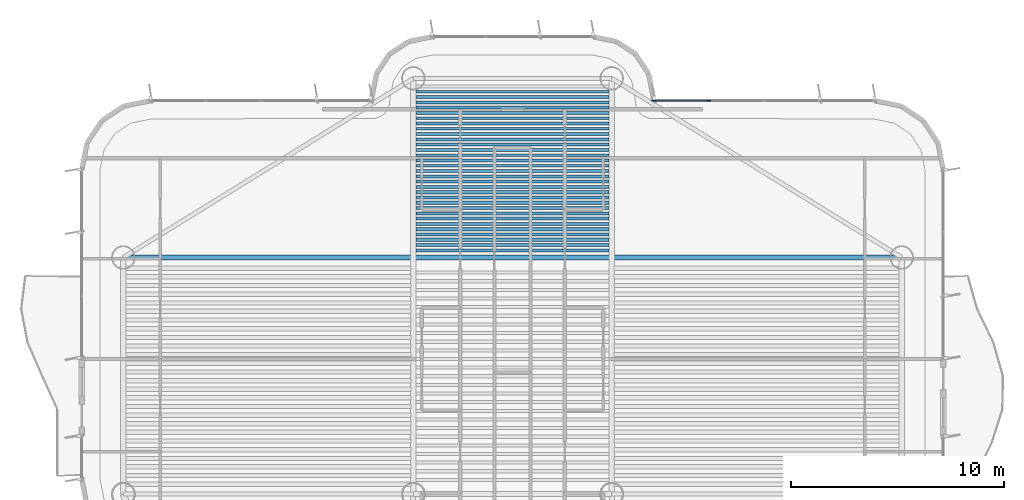
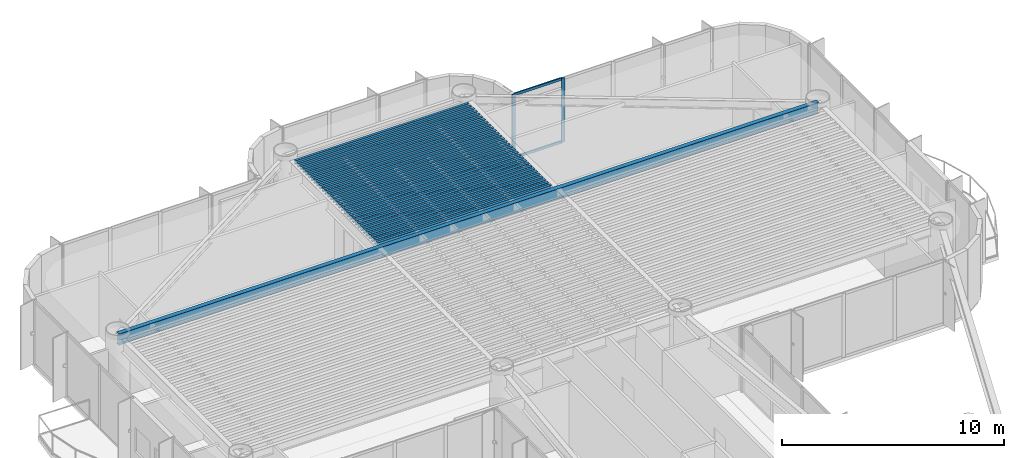
# One storey, part 6 of 15: 32 beams, 4 members, 1 element without a shape of its own.
"""IFC4 building model written with IfcOpenShell, lengths in metres."""

from ifc_helpers import new_model, si_unit, direction, frame, origin, origin_2d, place, context, subcontext, project, spatial, rectangle, i_section, extrude, source, transform, mapped, material, layer, layer_set, material_profile, profile_set, type_object, element, aggregate, save


model = new_model("IFC4")

# Units and contexts
model_context = context("Model", 3, precision=1e-05, world=origin(), true_north=direction((0.0, 1.0)))
body_context = subcontext(model_context, "Body", "Model", "MODEL_VIEW")
ifc_project = project(units=[si_unit("LENGTHUNIT", "METRE"), si_unit("AREAUNIT", "SQUARE_METRE"), si_unit("VOLUMEUNIT", "CUBIC_METRE"), si_unit("PLANEANGLEUNIT", "RADIAN"), si_unit("MASSUNIT", "GRAM", prefix="KILO")], contexts=[model_context])

# Site, building, storey
site_placement = place(None, origin())
site = spatial("IfcSite", under=ifc_project, at=site_placement, CompositionType="ELEMENT")
building_placement = place(site_placement, origin())
building = spatial("IfcBuilding", under=site, at=building_placement, Name="Brelvock Crest Care Tower", CompositionType="ELEMENT")
storey_placement = place(building_placement, frame((0.0, 0.0, 160.199951171875)))
storey = spatial("IfcBuildingStorey", under=building, at=storey_placement, Name="L40", CompositionType="ELEMENT", Elevation=160.199951171875)

# Beams
ifc_material_1 = material(Name="Steel Grade 350", Category="steel")
ifc_material_profile_1 = material_profile(ifc_material_1, i_section(OverallWidth=0.14599609375, OverallDepth=0.256103515625, WebThickness=0.00634765625, FlangeThickness=0.010986328125, FilletRadius=0.0087890625, at=origin_2d()), Name="250UB37.3")
ifc_profile_set_1 = profile_set([ifc_material_profile_1], Name="Steel Grade 350")
beam_type_1 = type_object("IfcBeamType", Name="BM-J3", PredefinedType="JOIST", material=ifc_profile_set_1)
shared_shape_1 = source(origin(), body_context, "Body", "SweptSolid", [
    extrude(i_section(OverallWidth=0.14599609375, OverallDepth=0.256103515625, WebThickness=0.00634765625, FlangeThickness=0.010986328125, FilletRadius=0.0087890625, at=origin_2d()), origin(), (0.0, 0.0, 1.0), 9.06982421875),
])
for number, where, z_axis, x_axis, name in (
    (1, (31.465087890625, 46.385986328125, 3.402099609375), (1.0, 0.0, 0.0), (0.0, 1.0, 0.0), "BM-JN-L40-1"),
    (2, (31.465087890625, 46.6337890625, 3.402099609375), (1.0, 0.0, 0.0), (0.0, 1.0, 0.0), "BM-JN-L40-2"),
    (3, (31.465087890625, 46.881591796875, 3.402099609375), (1.0, 0.0, 0.0), (0.0, 1.0, 0.0), "BM-JN-L40-3"),
    (4, (31.465087890625, 47.12939453125, 3.402099609375), (1.0, 0.0, 0.0), (0.0, 1.0, 0.0), "BM-JN-L40-4"),
    (5, (31.465087890625, 47.377197265625, 3.402099609375), (1.0, 0.0, 0.0), (0.0, 1.0, 0.0), "BM-JN-L40-5"),
    (6, (31.465087890625, 47.625, 3.402099609375), (1.0, 0.0, 0.0), (0.0, 1.0, 0.0), "BM-JN-L40-6"),
    (7, (31.465087890625, 47.872802734375, 3.402099609375), (1.0, 0.0, 0.0), (0.0, 1.0, 0.0), "BM-JN-L40-7"),
    (8, (31.465087890625, 48.12060546875, 3.402099609375), (1.0, 0.0, 0.0), (0.0, 1.0, 0.0), "BM-JN-L40-8"),
    (9, (31.465087890625, 48.368408203125, 3.402099609375), (1.0, 0.0, 0.0), (0.0, 1.0, 0.0), "BM-JN-L40-9"),
    (10, (31.465087890625, 48.6162109375, 3.402099609375), (1.0, 0.0, 0.0), (0.0, 1.0, 0.0), "BM-JN-L40-10"),
    (11, (31.465087890625, 48.864013671875, 3.402099609375), (1.0, 0.0, 0.0), (0.0, 1.0, 0.0), "BM-JN-L40-11"),
    (12, (31.465087890625, 49.11181640625, 3.402099609375), (1.0, 0.0, 0.0), (0.0, 1.0, 0.0), "BM-JN-L40-12"),
    (13, (31.465087890625, 49.359619140625, 3.402099609375), (1.0, 0.0, 0.0), (0.0, 1.0, 0.0), "BM-JN-L40-13"),
):
    element("IfcBeam", number, at=place(storey_placement, frame(where, z_axis=z_axis, x_axis=x_axis)), inside=storey, type_object=beam_type_1, Name=name, PredefinedType="JOIST", context=body_context, shape_type="MappedRepresentation", body=[
        mapped(shared_shape_1, transform((0.0, 0.0, 0.0), x_axis=(1.0, 0.0, 0.0), y_axis=(0.0, 1.0, 0.0), z_axis=(0.0, 0.0, 1.0), scale=1.0)),
    ])
ifc_material_profile_2 = material_profile(ifc_material_1, i_section(OverallWidth=0.134033203125, OverallDepth=0.20703125, WebThickness=0.00634765625, FlangeThickness=0.009521484375, FilletRadius=0.0087890625, at=origin_2d()), Name="200UB29.8")
ifc_profile_set_2 = profile_set([ifc_material_profile_2], Name="Steel Grade 350")
beam_type_2 = type_object("IfcBeamType", Name="BM-J4", PredefinedType="JOIST", material=ifc_profile_set_2)
shared_shape_2 = source(origin(), body_context, "Body", "SweptSolid", [
    extrude(i_section(OverallWidth=0.134033203125, OverallDepth=0.20703125, WebThickness=0.00634765625, FlangeThickness=0.009521484375, FilletRadius=0.0087890625, at=origin_2d()), origin(), (0.0, 0.0, 1.0), 9.06982421875),
])
for number, where, z_axis, x_axis, name in (
    (14, (31.465087890625, 49.607421875, 3.426513671875), (1.0, 0.0, 0.0), (0.0, 1.0, 0.0), "BM-JN-L40-14"),
    (15, (31.465087890625, 49.855224609375, 3.426513671875), (1.0, 0.0, 0.0), (0.0, 1.0, 0.0), "BM-JN-L40-15"),
    (16, (31.465087890625, 50.10302734375, 3.426513671875), (1.0, 0.0, 0.0), (0.0, 1.0, 0.0), "BM-JN-L40-16"),
    (17, (31.465087890625, 50.350830078125, 3.426513671875), (1.0, 0.0, 0.0), (0.0, 1.0, 0.0), "BM-JN-L40-17"),
    (18, (31.465087890625, 50.5986328125, 3.426513671875), (1.0, 0.0, 0.0), (0.0, 1.0, 0.0), "BM-JN-L40-18"),
    (19, (31.465087890625, 50.846435546875, 3.426513671875), (1.0, 0.0, 0.0), (0.0, 1.0, 0.0), "BM-JN-L40-19"),
    (20, (31.465087890625, 51.09423828125, 3.426513671875), (1.0, 0.0, 0.0), (0.0, 1.0, 0.0), "BM-JN-L40-20"),
    (21, (31.465087890625, 51.342041015625, 3.426513671875), (1.0, 0.0, 0.0), (0.0, 1.0, 0.0), "BM-JN-L40-21"),
    (22, (31.465087890625, 51.58984375, 3.426513671875), (1.0, 0.0, 0.0), (0.0, 1.0, 0.0), "BM-JN-L40-22"),
    (23, (31.465087890625, 51.837646484375, 3.426513671875), (1.0, 0.0, 0.0), (0.0, 1.0, 0.0), "BM-JN-L40-23"),
    (24, (31.465087890625, 52.08544921875, 3.426513671875), (1.0, 0.0, 0.0), (0.0, 1.0, 0.0), "BM-JN-L40-24"),
    (25, (31.465087890625, 52.333251953125, 3.426513671875), (1.0, 0.0, 0.0), (0.0, 1.0, 0.0), "BM-JN-L40-25"),
    (26, (31.465087890625, 52.5810546875, 3.426513671875), (1.0, 0.0, 0.0), (0.0, 1.0, 0.0), "BM-JN-L40-26"),
    (27, (31.465087890625, 52.828857421875, 3.426513671875), (1.0, 0.0, 0.0), (0.0, 1.0, 0.0), "BM-JN-L40-27"),
    (28, (31.465087890625, 53.07666015625, 3.426513671875), (1.0, 0.0, 0.0), (0.0, 1.0, 0.0), "BM-JN-L40-28"),
    (29, (31.465087890625, 53.324462890625, 3.426513671875), (1.0, 0.0, 0.0), (0.0, 1.0, 0.0), "BM-JN-L40-29"),
    (30, (31.465087890625, 53.572265625, 3.426513671875), (1.0, 0.0, 0.0), (0.0, 1.0, 0.0), "BM-JN-L40-30"),
    (31, (31.465087890625, 53.820068359375, 3.426513671875), (1.0, 0.0, 0.0), (0.0, 1.0, 0.0), "BM-JN-L40-31"),
):
    element("IfcBeam", number, at=place(storey_placement, frame(where, z_axis=z_axis, x_axis=x_axis)), inside=storey, type_object=beam_type_2, Name=name, PredefinedType="JOIST", context=body_context, shape_type="MappedRepresentation", body=[
        mapped(shared_shape_2, transform((0.0, 0.0, 0.0), x_axis=(1.0, 0.0, 0.0), y_axis=(0.0, 1.0, 0.0), z_axis=(0.0, 0.0, 1.0), scale=1.0)),
    ])
ifc_material_profile_3 = material_profile(ifc_material_1, i_section(OverallWidth=0.22900390625, OverallDepth=0.612060546875, WebThickness=0.011962890625, FlangeThickness=0.01953125, FilletRadius=0.013916015625, at=origin_2d()), Name="610UB125")
ifc_profile_set_3 = profile_set([ifc_material_profile_3], Name="Steel Grade 350")
beam_type_3 = type_object("IfcBeamType", Name="BM-G1", PredefinedType="BEAM", material=ifc_profile_set_3)
shared_shape_3 = source(origin(), body_context, "Body", "SweptSolid", [
    extrude(i_section(OverallWidth=0.22900390625, OverallDepth=0.612060546875, WebThickness=0.011962890625, FlangeThickness=0.01953125, FilletRadius=0.013916015625, at=origin_2d()), origin(), (0.0, 0.0, 1.0), 36.5),
])
beam_placement = place(storey_placement, frame((17.75, 46.050048828125, 3.22412109375), z_axis=(1.0, 0.0, 0.0), x_axis=(0.0, 1.0, 0.0)))
element("IfcBeam", 32, at=beam_placement, inside=storey, type_object=beam_type_3, Name="BM-TWR-L40-11", PredefinedType="BEAM", context=body_context, shape_type="MappedRepresentation", body=[
    mapped(shared_shape_3, transform((0.0, 0.0, 0.0), x_axis=(1.0, 0.0, 0.0), y_axis=(0.0, 1.0, 0.0), z_axis=(0.0, 0.0, 1.0), scale=1.0)),
])

# Curtain wall, members
ifc_material_2 = material(Name="Dark Glass Double Glazed Low-E", Category="glass")
ifc_layer = layer(ifc_material_2, 0.22509765625, Name="CWS-4")
ifc_layer_set = layer_set([ifc_layer], Name="Dark Glass Double Glazed Low-E")
curtain_wall_type = type_object("IfcCurtainWallType", Name="CWS-4", PredefinedType="NOTDEFINED", material=ifc_layer_set)
curtain_wall_placement = place(storey_placement, origin())
curtain_wall = element("IfcCurtainWall", 33, at=curtain_wall_placement, inside=storey, type_object=curtain_wall_type, Name="L40 Curtain Wall E34", PredefinedType="NOTDEFINED")
ifc_material_3 = material(Name="Aluminium 6063-T6", Category="aluminium")
ifc_material_profile_4 = material_profile(ifc_material_3, rectangle(XDim=0.06005859375, YDim=0.179931640625, at=origin_2d()), Name="ALU60x180")
ifc_profile_set_4 = profile_set([ifc_material_profile_4], Name="Aluminium 6063-T6")
member_type_1 = type_object("IfcMemberType", Name="CWM-2", PredefinedType="MULLION", material=ifc_profile_set_4)
shared_shape_4 = source(origin(), body_context, "Body", "SweptSolid", [
    extrude(rectangle(XDim=0.06005859375, YDim=0.179931640625, at=origin_2d()), origin(), (0.0, 0.0, 1.0), 3.530029296875),
])
member_1_placement = place(storey_placement, frame((42.6298828125, 53.39990234375, 0.0), z_axis=(0.0, 0.0, 1.0), x_axis=(0.0, 1.0, 0.0)))
member_1 = element("IfcMember", 34, at=member_1_placement, type_object=member_type_1, Name="CW-4 mullion 1", PredefinedType="MULLION", context=body_context, shape_type="MappedRepresentation", body=[
    mapped(shared_shape_4, transform((0.0, 0.0, 0.0), x_axis=(1.0, 0.0, 0.0), y_axis=(0.0, 1.0, 0.0), z_axis=(0.0, 0.0, 1.0), scale=1.0)),
])
member_2_placement = place(storey_placement, frame((45.199951171875, 53.39990234375, 0.0), z_axis=(0.0, 0.0, 1.0), x_axis=(0.0, 1.0, 0.0)))
member_2 = element("IfcMember", 35, at=member_2_placement, type_object=member_type_1, Name="CW-4 mullion 2", PredefinedType="MULLION", context=body_context, shape_type="MappedRepresentation", body=[
    mapped(shared_shape_4, transform((0.0, 0.0, 0.0), x_axis=(1.0, 0.0, 0.0), y_axis=(0.0, 1.0, 0.0), z_axis=(0.0, 0.0, 1.0), scale=1.0)),
])
ifc_material_profile_5 = material_profile(ifc_material_3, rectangle(XDim=0.06005859375, YDim=0.139892578125, at=origin_2d()), Name="ALU60x140")
ifc_profile_set_5 = profile_set([ifc_material_profile_5], Name="Aluminium 6063-T6")
member_type_2 = type_object("IfcMemberType", Name="CWT-2", PredefinedType="USERDEFINED", material=ifc_profile_set_5)
shared_shape_5 = source(origin(), body_context, "Body", "SweptSolid", [
    extrude(rectangle(XDim=0.06005859375, YDim=0.139892578125, at=origin_2d()), origin(), (0.0, 0.0, 1.0), 2.510009765625),
])
member_3_placement = place(storey_placement, frame((42.659912109375, 53.39990234375, 0.030029296875), z_axis=(1.0, 0.0, 0.0), x_axis=(0.0, 1.0, 0.0)))
member_3 = element("IfcMember", 36, at=member_3_placement, type_object=member_type_2, Name="CW-4 transom 1.1", ObjectType="TRANSOM", PredefinedType="USERDEFINED", context=body_context, shape_type="MappedRepresentation", body=[
    mapped(shared_shape_5, transform((0.0, 0.0, 0.0), x_axis=(1.0, 0.0, 0.0), y_axis=(0.0, 1.0, 0.0), z_axis=(0.0, 0.0, 1.0), scale=1.0)),
])
member_4_placement = place(storey_placement, frame((42.659912109375, 53.39990234375, 3.5), z_axis=(1.0, 0.0, 0.0), x_axis=(0.0, 1.0, 0.0)))
member_4 = element("IfcMember", 37, at=member_4_placement, type_object=member_type_2, Name="CW-4 transom 1.2", ObjectType="TRANSOM", PredefinedType="USERDEFINED", context=body_context, shape_type="MappedRepresentation", body=[
    mapped(shared_shape_5, transform((0.0, 0.0, 0.0), x_axis=(1.0, 0.0, 0.0), y_axis=(0.0, 1.0, 0.0), z_axis=(0.0, 0.0, 1.0), scale=1.0)),
])
aggregate(curtain_wall, [member_1, member_2, member_3, member_4])

save(model, "model.ifc")
